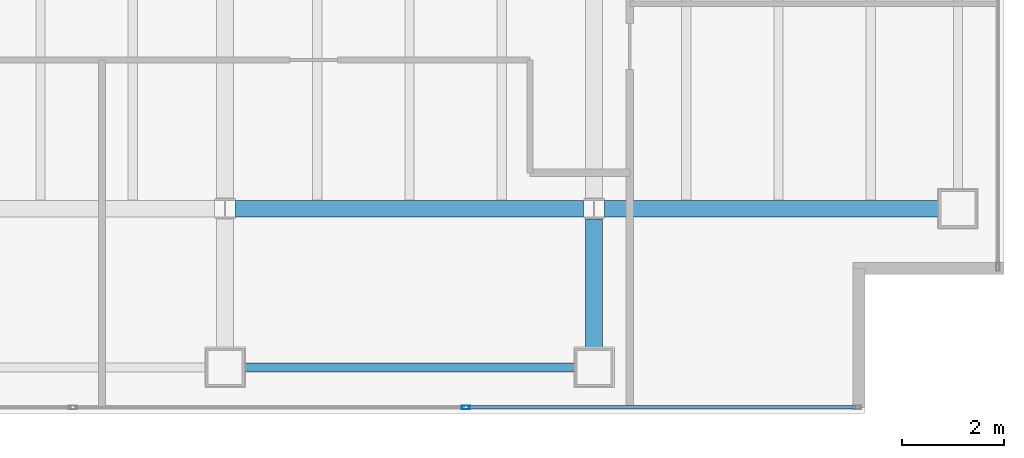
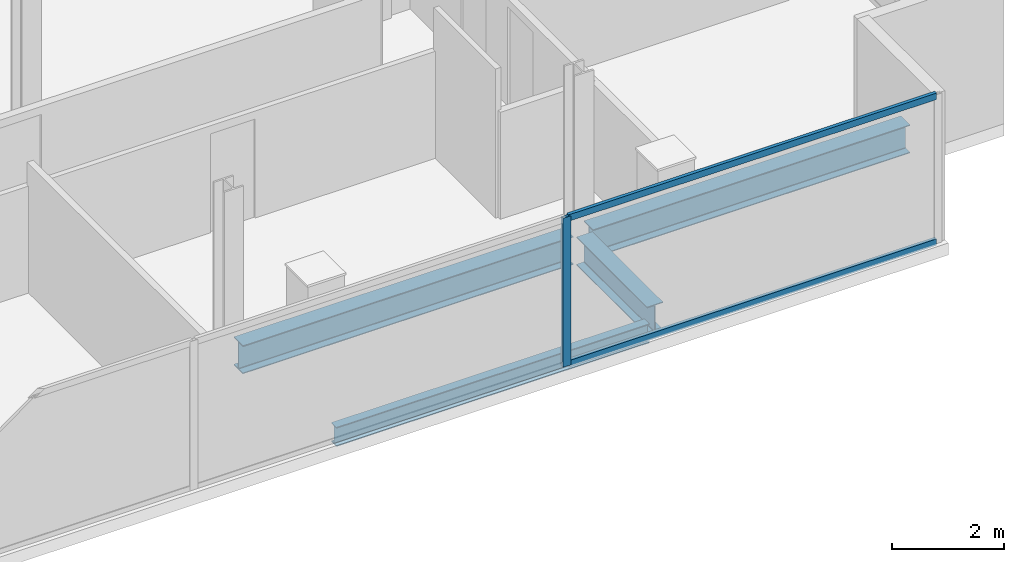
# One storey, part 10 of 23: 4 beams, 3 members, 1 element without a shape of its own.
"""IFC4 building model written with IfcOpenShell, lengths in metres."""

from ifc_helpers import new_model, si_unit, direction, frame, origin, origin_2d, place, context, subcontext, project, spatial, hollow_rectangle, i_section, extrude, material, material_profile, profile_set, type_object, element, aggregate, save


model = new_model("IFC4")

# Units and contexts
model_context = context("Model", 3, precision=1e-05, world=origin(), true_north=direction((0.0, 1.0)))
body_context = subcontext(model_context, "Body", "Model", "MODEL_VIEW")
ifc_project = project(units=[si_unit("LENGTHUNIT", "METRE"), si_unit("AREAUNIT", "SQUARE_METRE"), si_unit("VOLUMEUNIT", "CUBIC_METRE"), si_unit("PLANEANGLEUNIT", "RADIAN"), si_unit("MASSUNIT", "GRAM", prefix="KILO")], contexts=[model_context])

# Site, building, storey
site_placement = place(None, origin())
site = spatial("IfcSite", under=ifc_project, at=site_placement, CompositionType="ELEMENT")
building_placement = place(site_placement, origin())
building = spatial("IfcBuilding", under=site, at=building_placement, Name="Cobrela Telecom Tower", CompositionType="ELEMENT")
storey_placement = place(building_placement, frame((0.0, 0.0, 229.25)))
storey = spatial("IfcBuildingStorey", under=building, at=storey_placement, Name="L59", CompositionType="ELEMENT", Elevation=229.25)

# Beams
ifc_material_1 = material(Name="Steel ASTM A992 Grade 50", Category="steel")
ifc_material_profile_1 = material_profile(ifc_material_1, i_section(OverallWidth=0.324951171875, OverallDepth=0.612060546875, WebThickness=0.0126953125, FlangeThickness=0.01904296875, FilletRadius=0.014892578125, at=origin_2d()), Name="W24X104")
ifc_profile_set_1 = profile_set([ifc_material_profile_1], Name="Steel ASTM A992 Grade 50")
beam_type_1 = type_object("IfcBeamType", Name="BM-GIRD-07", PredefinedType="USERDEFINED", material=ifc_profile_set_1)
beam_1_placement = place(storey_placement, frame((29.00439453125, 7.199951171875, -0.56591796875), z_axis=(1.0, 0.0, 0.0), x_axis=(0.0, 1.0, 0.0)))
element("IfcBeam", 1, at=beam_1_placement, inside=storey, type_object=beam_type_1, Name="L59 Primary Girder X09", ObjectType="GIRDER", PredefinedType="USERDEFINED", context=body_context, shape_type="SweptSolid", body=[
    extrude(i_section(OverallWidth=0.324951171875, OverallDepth=0.612060546875, WebThickness=0.0126953125, FlangeThickness=0.01904296875, FilletRadius=0.014892578125, at=origin_2d()), origin(), (0.0, 0.0, 1.0), 6.791015625),
])
beam_2_placement = place(storey_placement, frame((36.20458984375, 7.199951171875, -0.56591796875), z_axis=(1.0, 0.0, 0.0), x_axis=(0.0, 1.0, 0.0)))
element("IfcBeam", 2, at=beam_2_placement, inside=storey, type_object=beam_type_1, Name="L59 Primary Girder X10", ObjectType="GIRDER", PredefinedType="USERDEFINED", context=body_context, shape_type="SweptSolid", body=[
    extrude(i_section(OverallWidth=0.324951171875, OverallDepth=0.612060546875, WebThickness=0.0126953125, FlangeThickness=0.01904296875, FilletRadius=0.014892578125, at=origin_2d()), origin(), (0.0, 0.0, 1.0), 6.515380859375),
])
beam_3_placement = place(storey_placement, frame((36.0, 4.47998046875, -0.56591796875), z_axis=(0.0, 1.0, 0.0), x_axis=(-1.0, 0.0, 0.0)))
element("IfcBeam", 3, at=beam_3_placement, inside=storey, type_object=beam_type_1, Name="L59 Primary Girder Y39", ObjectType="GIRDER", PredefinedType="USERDEFINED", context=body_context, shape_type="SweptSolid", body=[
    extrude(i_section(OverallWidth=0.324951171875, OverallDepth=0.612060546875, WebThickness=0.0126953125, FlangeThickness=0.01904296875, FilletRadius=0.014892578125, at=origin_2d()), origin(), (0.0, 0.0, 1.0), 2.515625),
])
ifc_material_profile_2 = material_profile(ifc_material_1, i_section(OverallWidth=0.179931640625, OverallDepth=0.4169921875, WebThickness=0.010986328125, FlangeThickness=0.01806640625, FilletRadius=0.011962890625, at=origin_2d()), Name="W16X57")
ifc_profile_set_2 = profile_set([ifc_material_profile_2], Name="Steel ASTM A992 Grade 50")
beam_type_2 = type_object("IfcBeamType", Name="BM-SPAND-06", PredefinedType="SPANDREL", material=ifc_profile_set_2)
beam_4_placement = place(storey_placement, frame((29.179931640625, 4.10009765625, -0.468505859375), z_axis=(1.0, 0.0, 0.0), x_axis=(0.0, 1.0, 0.0)))
element("IfcBeam", 4, at=beam_4_placement, inside=storey, type_object=beam_type_2, Name="L59 Perimeter Spandrel X04", PredefinedType="SPANDREL", context=body_context, shape_type="SweptSolid", body=[
    extrude(i_section(OverallWidth=0.179931640625, OverallDepth=0.4169921875, WebThickness=0.010986328125, FlangeThickness=0.01806640625, FilletRadius=0.011962890625, at=origin_2d()), origin(), (0.0, 0.0, 1.0), 6.440185546875),
])

# Curtain wall, members
ifc_material_2 = material(Name="Anodized Bronze Aluminium 6063-T6", Category="aluminium")
curtain_wall_type = type_object("IfcCurtainWallType", Name="CW-SYS-OFF-LO", PredefinedType="USERDEFINED", material=ifc_material_2)
curtain_wall_placement = place(storey_placement, origin())
curtain_wall = element("IfcCurtainWall", 5, at=curtain_wall_placement, inside=storey, type_object=curtain_wall_type, Name="L59 Unitised Bronze Curtain Wall 17", ObjectType="UNITISED CURTAIN WALL", PredefinedType="USERDEFINED")
ifc_material_profile_3 = material_profile(ifc_material_2, hollow_rectangle(XDim=0.070068359375, YDim=0.159912109375, WallThickness=0.00390625, at=origin_2d()), Name="ALU 70x160x4")
ifc_profile_set_3 = profile_set([ifc_material_profile_3], Name="Anodized Bronze Aluminium 6063-T6")
member_type_1 = type_object("IfcMemberType", Name="CW-SYS-OFF-LO-MUL", PredefinedType="MULLION", material=ifc_profile_set_3)
member_1_placement = place(storey_placement, frame((33.501953125, 3.320068359375, 0.0), z_axis=(0.0, 0.0, 1.0), x_axis=(0.0, -1.0, 0.0)))
member_1 = element("IfcMember", 6, at=member_1_placement, type_object=member_type_1, Name="CW-OFF-LO mullion 2", PredefinedType="MULLION", context=body_context, shape_type="SweptSolid", body=[
    extrude(hollow_rectangle(XDim=0.070068359375, YDim=0.159912109375, WallThickness=0.00390625, at=origin_2d()), origin(), (0.0, 0.0, 1.0), 3.239990234375),
])
ifc_material_profile_4 = material_profile(ifc_material_2, hollow_rectangle(XDim=0.070068359375, YDim=0.139892578125, WallThickness=0.00390625, at=origin_2d()), Name="ALU 70x140x4")
ifc_profile_set_4 = profile_set([ifc_material_profile_4], Name="Anodized Bronze Aluminium 6063-T6")
member_type_2 = type_object("IfcMemberType", Name="CW-SYS-OFF-LO-TRN", PredefinedType="USERDEFINED", material=ifc_profile_set_4)
member_2_placement = place(storey_placement, frame((41.10009765625, 3.320068359375, 0.034912109375), z_axis=(-1.0, 0.0, 0.0), x_axis=(0.0, -1.0, 0.0)))
member_2 = element("IfcMember", 7, at=member_2_placement, type_object=member_type_2, Name="CW-OFF-LO transom 1.1", ObjectType="TRANSOM", PredefinedType="USERDEFINED", context=body_context, shape_type="SweptSolid", body=[
    extrude(hollow_rectangle(XDim=0.070068359375, YDim=0.139892578125, WallThickness=0.00390625, at=origin_2d()), origin(), (0.0, 0.0, 1.0), 7.56298828125),
])
member_3_placement = place(storey_placement, frame((41.10009765625, 3.320068359375, 3.205078125), z_axis=(-1.0, 0.0, 0.0), x_axis=(0.0, -1.0, 0.0)))
member_3 = element("IfcMember", 8, at=member_3_placement, type_object=member_type_2, Name="CW-OFF-LO transom 1.2", ObjectType="TRANSOM", PredefinedType="USERDEFINED", context=body_context, shape_type="SweptSolid", body=[
    extrude(hollow_rectangle(XDim=0.070068359375, YDim=0.139892578125, WallThickness=0.00390625, at=origin_2d()), origin(), (0.0, 0.0, 1.0), 7.56298828125),
])
aggregate(curtain_wall, [member_1, member_2, member_3])

save(model, "model.ifc")
